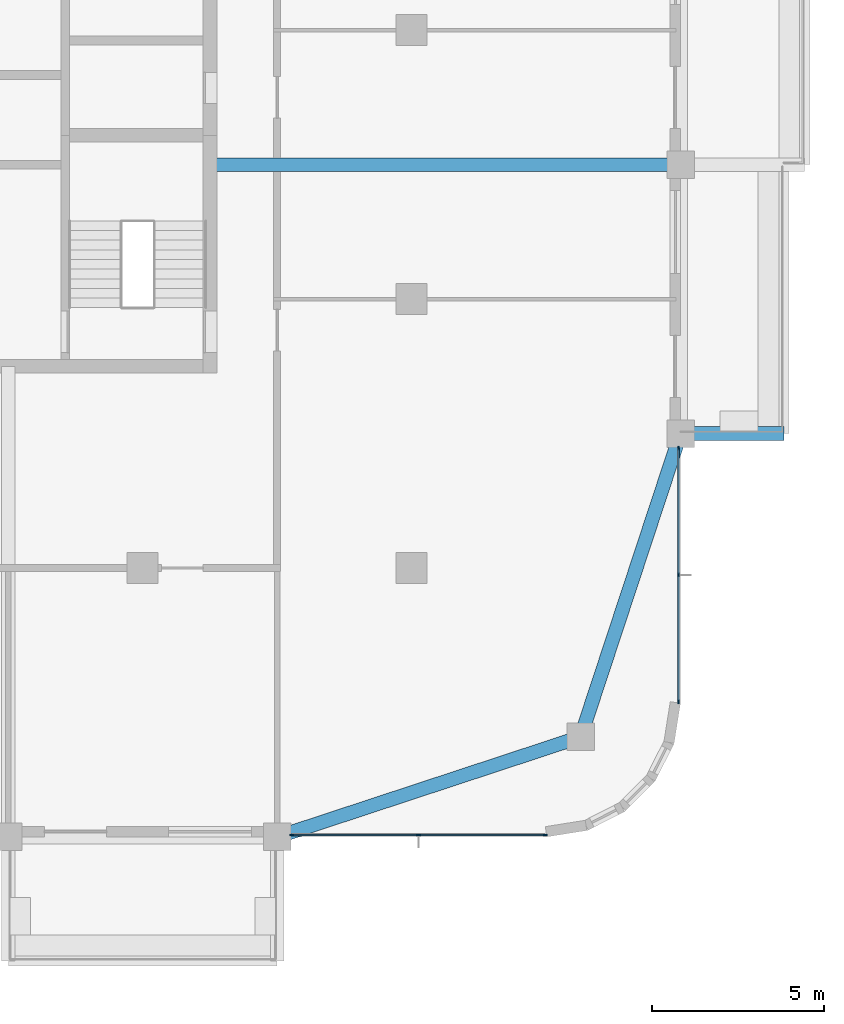
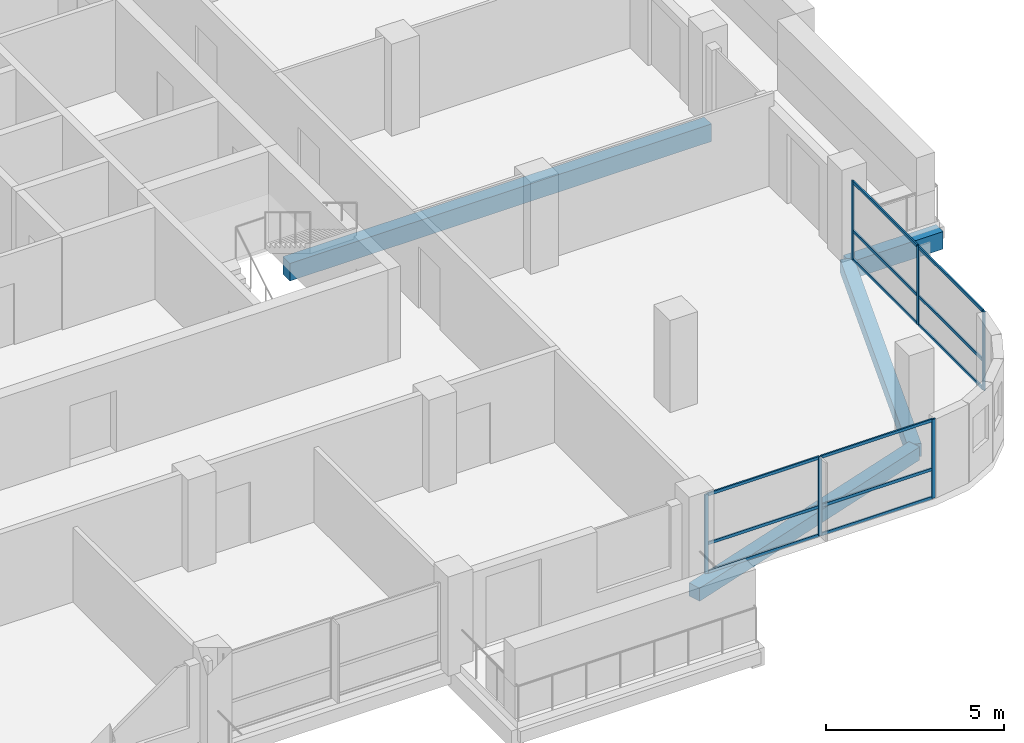
# One storey, part 5 of 22: 18 members, 4 beams, 2 elements without a shape of their own.
"""IFC4 building model written with IfcOpenShell, lengths in metres."""

from ifc_helpers import new_model, si_unit, direction, frame, origin, origin_2d, place, context, subcontext, project, spatial, rectangle, extrude, material, material_profile, profile_set, type_object, element, aggregate, save


model = new_model("IFC4")

# Units and contexts
model_context = context("Model", 3, precision=1e-05, world=origin(), true_north=direction((0.0, 1.0)))
body_context = subcontext(model_context, "Body", "Model", "MODEL_VIEW")
ifc_project = project(units=[si_unit("LENGTHUNIT", "METRE"), si_unit("AREAUNIT", "SQUARE_METRE"), si_unit("VOLUMEUNIT", "CUBIC_METRE"), si_unit("PLANEANGLEUNIT", "RADIAN"), si_unit("MASSUNIT", "GRAM", prefix="KILO")], contexts=[model_context])

# Site, building, storey
site_placement = place(None, origin())
site = spatial("IfcSite", under=ifc_project, at=site_placement, CompositionType="ELEMENT")
building_placement = place(site_placement, origin())
building = spatial("IfcBuilding", under=site, at=building_placement, Name="Ludao Terraces", CompositionType="ELEMENT")
storey_placement = place(building_placement, frame((0.0, 0.0, 200.699951171875)))
storey = spatial("IfcBuildingStorey", under=building, at=storey_placement, Name="L54", CompositionType="ELEMENT", Elevation=200.699951171875)

# Curtain wall, members
ifc_material_1 = material(Name="Aluminium curtain wall with fritted glass", Category="aluminium")
curtain_wall_type = type_object("IfcCurtainWallType", Name="ENV CW3 community glazing", PredefinedType="NOTDEFINED", material=ifc_material_1)
curtain_wall_1_placement = place(storey_placement, origin())
curtain_wall_1 = element("IfcCurtainWall", 1, at=curtain_wall_1_placement, inside=storey, type_object=curtain_wall_type, Name="Community floor glazing L54 S5", PredefinedType="NOTDEFINED")
ifc_material_2 = material(Name="Aluminium 6063-T6", Category="aluminium")
ifc_material_profile_1 = material_profile(ifc_material_2, rectangle(XDim=0.050048828125, YDim=0.1201171875, at=origin_2d()), Name="50 X 120")
ifc_profile_set_1 = profile_set([ifc_material_profile_1], Name="Aluminium 6063-T6")
member_type_1 = type_object("IfcMemberType", Name="ENV CW3 mullion 50x120", PredefinedType="MULLION", material=ifc_profile_set_1)
member_1_placement = place(storey_placement, frame((97.125, 41.659912109375, 0.0), z_axis=(0.0, 0.0, 1.0), x_axis=(0.0, 1.0, 0.0)))
member_1 = element("IfcMember", 2, at=member_1_placement, type_object=member_type_1, Name="CW3 mullion 1", PredefinedType="MULLION", context=body_context, shape_type="SweptSolid", body=[
    extrude(rectangle(XDim=0.050048828125, YDim=0.1201171875, at=origin_2d()), origin(), (0.0, 0.0, 1.0), 2.699951171875),
])
member_2_placement = place(storey_placement, frame((100.800048828125, 41.659912109375, 0.0), z_axis=(0.0, 0.0, 1.0), x_axis=(0.0, 1.0, 0.0)))
member_2 = element("IfcMember", 3, at=member_2_placement, type_object=member_type_1, Name="CW3 mullion 2", PredefinedType="MULLION", context=body_context, shape_type="SweptSolid", body=[
    extrude(rectangle(XDim=0.050048828125, YDim=0.1201171875, at=origin_2d()), origin(), (0.0, 0.0, 1.0), 2.699951171875),
])
member_3_placement = place(storey_placement, frame((104.47509765625, 41.659912109375, 0.0), z_axis=(0.0, 0.0, 1.0), x_axis=(0.0, 1.0, 0.0)))
member_3 = element("IfcMember", 4, at=member_3_placement, type_object=member_type_1, Name="CW3 mullion 3", PredefinedType="MULLION", context=body_context, shape_type="SweptSolid", body=[
    extrude(rectangle(XDim=0.050048828125, YDim=0.1201171875, at=origin_2d()), origin(), (0.0, 0.0, 1.0), 2.699951171875),
])

curtain_wall_2_placement = place(storey_placement, origin())
curtain_wall_2 = element("IfcCurtainWall", 5, at=curtain_wall_2_placement, inside=storey, type_object=curtain_wall_type, Name="Community floor glazing L54 E1", PredefinedType="NOTDEFINED")
member_4_placement = place(storey_placement, frame((108.340087890625, 45.52490234375, 0.0), z_axis=(0.0, 0.0, 1.0), x_axis=(-1.0, 0.0, 0.0)))
member_4 = element("IfcMember", 6, at=member_4_placement, type_object=member_type_1, Name="CW3 mullion 1", PredefinedType="MULLION", context=body_context, shape_type="SweptSolid", body=[
    extrude(rectangle(XDim=0.050048828125, YDim=0.1201171875, at=origin_2d()), origin(), (0.0, 0.0, 1.0), 2.699951171875),
])
member_5_placement = place(storey_placement, frame((108.340087890625, 49.199951171875, 0.0), z_axis=(0.0, 0.0, 1.0), x_axis=(-1.0, 0.0, 0.0)))
member_5 = element("IfcMember", 7, at=member_5_placement, type_object=member_type_1, Name="CW3 mullion 2", PredefinedType="MULLION", context=body_context, shape_type="SweptSolid", body=[
    extrude(rectangle(XDim=0.050048828125, YDim=0.1201171875, at=origin_2d()), origin(), (0.0, 0.0, 1.0), 2.699951171875),
])
member_6_placement = place(storey_placement, frame((108.340087890625, 52.875, 0.0), z_axis=(0.0, 0.0, 1.0), x_axis=(-1.0, 0.0, 0.0)))
member_6 = element("IfcMember", 8, at=member_6_placement, type_object=member_type_1, Name="CW3 mullion 3", PredefinedType="MULLION", context=body_context, shape_type="SweptSolid", body=[
    extrude(rectangle(XDim=0.050048828125, YDim=0.1201171875, at=origin_2d()), origin(), (0.0, 0.0, 1.0), 2.699951171875),
])

# Member
ifc_material_profile_2 = material_profile(ifc_material_2, rectangle(XDim=0.050048828125, YDim=0.10009765625, at=origin_2d()), Name="50 X 100")
ifc_profile_set_2 = profile_set([ifc_material_profile_2], Name="Aluminium 6063-T6")
member_type_2 = type_object("IfcMemberType", Name="ENV CW3 transom 50x100", PredefinedType="USERDEFINED", material=ifc_profile_set_2)
member_7_placement = place(storey_placement, frame((97.14990234375, 41.659912109375, 0.025146484375), z_axis=(1.0, 0.0, 0.0), x_axis=(0.0, 1.0, 0.0)))
member_7 = element("IfcMember", 9, at=member_7_placement, type_object=member_type_2, Name="CW3 transom 1.1", ObjectType="TRANSOM", PredefinedType="USERDEFINED", context=body_context, shape_type="SweptSolid", body=[
    extrude(rectangle(XDim=0.050048828125, YDim=0.10009765625, at=origin_2d()), origin(), (0.0, 0.0, 1.0), 3.625),
])

member_8_placement = place(storey_placement, frame((97.14990234375, 41.659912109375, 1.0), z_axis=(1.0, 0.0, 0.0), x_axis=(0.0, 1.0, 0.0)))
member_8 = element("IfcMember", 10, at=member_8_placement, type_object=member_type_2, Name="CW3 transom 1.2", ObjectType="TRANSOM", PredefinedType="USERDEFINED", context=body_context, shape_type="SweptSolid", body=[
    extrude(rectangle(XDim=0.050048828125, YDim=0.10009765625, at=origin_2d()), origin(), (0.0, 0.0, 1.0), 3.625),
])

member_9_placement = place(storey_placement, frame((97.14990234375, 41.659912109375, 2.675048828125), z_axis=(1.0, 0.0, 0.0), x_axis=(0.0, 1.0, 0.0)))
member_9 = element("IfcMember", 11, at=member_9_placement, type_object=member_type_2, Name="CW3 transom 1.3", ObjectType="TRANSOM", PredefinedType="USERDEFINED", context=body_context, shape_type="SweptSolid", body=[
    extrude(rectangle(XDim=0.050048828125, YDim=0.10009765625, at=origin_2d()), origin(), (0.0, 0.0, 1.0), 3.625),
])

member_10_placement = place(storey_placement, frame((100.824951171875, 41.659912109375, 0.025146484375), z_axis=(1.0, 0.0, 0.0), x_axis=(0.0, 1.0, 0.0)))
member_10 = element("IfcMember", 12, at=member_10_placement, type_object=member_type_2, Name="CW3 transom 2.1", ObjectType="TRANSOM", PredefinedType="USERDEFINED", context=body_context, shape_type="SweptSolid", body=[
    extrude(rectangle(XDim=0.050048828125, YDim=0.10009765625, at=origin_2d()), origin(), (0.0, 0.0, 1.0), 3.625),
])

member_11_placement = place(storey_placement, frame((100.824951171875, 41.659912109375, 1.0), z_axis=(1.0, 0.0, 0.0), x_axis=(0.0, 1.0, 0.0)))
member_11 = element("IfcMember", 13, at=member_11_placement, type_object=member_type_2, Name="CW3 transom 2.2", ObjectType="TRANSOM", PredefinedType="USERDEFINED", context=body_context, shape_type="SweptSolid", body=[
    extrude(rectangle(XDim=0.050048828125, YDim=0.10009765625, at=origin_2d()), origin(), (0.0, 0.0, 1.0), 3.625),
])

member_12_placement = place(storey_placement, frame((100.824951171875, 41.659912109375, 2.675048828125), z_axis=(1.0, 0.0, 0.0), x_axis=(0.0, 1.0, 0.0)))
member_12 = element("IfcMember", 14, at=member_12_placement, type_object=member_type_2, Name="CW3 transom 2.3", ObjectType="TRANSOM", PredefinedType="USERDEFINED", context=body_context, shape_type="SweptSolid", body=[
    extrude(rectangle(XDim=0.050048828125, YDim=0.10009765625, at=origin_2d()), origin(), (0.0, 0.0, 1.0), 3.625),
])

aggregate(curtain_wall_1, [member_1, member_2, member_3, member_7, member_8, member_9, member_10, member_11, member_12])

member_13_placement = place(storey_placement, frame((108.340087890625, 45.550048828125, 0.025146484375), z_axis=(0.0, 1.0, 0.0), x_axis=(-1.0, 0.0, 0.0)))
member_13 = element("IfcMember", 15, at=member_13_placement, type_object=member_type_2, Name="CW3 transom 1.1", ObjectType="TRANSOM", PredefinedType="USERDEFINED", context=body_context, shape_type="SweptSolid", body=[
    extrude(rectangle(XDim=0.050048828125, YDim=0.10009765625, at=origin_2d()), origin(), (0.0, 0.0, 1.0), 3.625),
])

member_14_placement = place(storey_placement, frame((108.340087890625, 45.550048828125, 1.0), z_axis=(0.0, 1.0, 0.0), x_axis=(-1.0, 0.0, 0.0)))
member_14 = element("IfcMember", 16, at=member_14_placement, type_object=member_type_2, Name="CW3 transom 1.2", ObjectType="TRANSOM", PredefinedType="USERDEFINED", context=body_context, shape_type="SweptSolid", body=[
    extrude(rectangle(XDim=0.050048828125, YDim=0.10009765625, at=origin_2d()), origin(), (0.0, 0.0, 1.0), 3.625),
])

member_15_placement = place(storey_placement, frame((108.340087890625, 45.550048828125, 2.675048828125), z_axis=(0.0, 1.0, 0.0), x_axis=(-1.0, 0.0, 0.0)))
member_15 = element("IfcMember", 17, at=member_15_placement, type_object=member_type_2, Name="CW3 transom 1.3", ObjectType="TRANSOM", PredefinedType="USERDEFINED", context=body_context, shape_type="SweptSolid", body=[
    extrude(rectangle(XDim=0.050048828125, YDim=0.10009765625, at=origin_2d()), origin(), (0.0, 0.0, 1.0), 3.625),
])

member_16_placement = place(storey_placement, frame((108.340087890625, 49.22509765625, 0.025146484375), z_axis=(0.0, 1.0, 0.0), x_axis=(-1.0, 0.0, 0.0)))
member_16 = element("IfcMember", 18, at=member_16_placement, type_object=member_type_2, Name="CW3 transom 2.1", ObjectType="TRANSOM", PredefinedType="USERDEFINED", context=body_context, shape_type="SweptSolid", body=[
    extrude(rectangle(XDim=0.050048828125, YDim=0.10009765625, at=origin_2d()), origin(), (0.0, 0.0, 1.0), 3.625),
])

member_17_placement = place(storey_placement, frame((108.340087890625, 49.22509765625, 1.0), z_axis=(0.0, 1.0, 0.0), x_axis=(-1.0, 0.0, 0.0)))
member_17 = element("IfcMember", 19, at=member_17_placement, type_object=member_type_2, Name="CW3 transom 2.2", ObjectType="TRANSOM", PredefinedType="USERDEFINED", context=body_context, shape_type="SweptSolid", body=[
    extrude(rectangle(XDim=0.050048828125, YDim=0.10009765625, at=origin_2d()), origin(), (0.0, 0.0, 1.0), 3.625),
])

member_18_placement = place(storey_placement, frame((108.340087890625, 49.22509765625, 2.675048828125), z_axis=(0.0, 1.0, 0.0), x_axis=(-1.0, 0.0, 0.0)))
member_18 = element("IfcMember", 20, at=member_18_placement, type_object=member_type_2, Name="CW3 transom 2.3", ObjectType="TRANSOM", PredefinedType="USERDEFINED", context=body_context, shape_type="SweptSolid", body=[
    extrude(rectangle(XDim=0.050048828125, YDim=0.10009765625, at=origin_2d()), origin(), (0.0, 0.0, 1.0), 3.625),
])

aggregate(curtain_wall_2, [member_4, member_5, member_6, member_13, member_14, member_15, member_16, member_17, member_18])

# Beams
ifc_material_3 = material(Name="Concrete C40", Category="concrete")
ifc_material_profile_3 = material_profile(ifc_material_3, rectangle(XDim=0.39990234375, YDim=0.449951171875, at=origin_2d()), Name="400 X 450")
ifc_profile_set_3 = profile_set([ifc_material_profile_3], Name="Concrete C40")
beam_type_1 = type_object("IfcBeamType", Name="RC beam 400x450 C40", PredefinedType="BEAM", material=ifc_profile_set_3)
for number, where, z_axis, x_axis, name in (
    (21, (96.699951171875, 41.60009765625, -0.474853515625), (0.949760691408, 0.312977042379, 0.0), (-0.312977042379, 0.949760691408, 0.0), "Spandrel beam L54 S5"),
    (22, (105.5, 44.5, -0.474853515625), (0.312977042379, 0.949760691408, 0.0), (-0.949760691408, 0.312977042379, 0.0), "Spandrel beam L54 E13"),
):
    element("IfcBeam", number, at=place(storey_placement, frame(where, z_axis=z_axis, x_axis=x_axis)), inside=storey, type_object=beam_type_1, Name=name, PredefinedType="BEAM", context=body_context, shape_type="SweptSolid", body=[
        extrude(rectangle(XDim=0.39990234375, YDim=0.449951171875, at=origin_2d()), origin(), (0.0, 0.0, 1.0), 9.265625),
    ])
ifc_material_profile_4 = material_profile(ifc_material_3, rectangle(XDim=0.39990234375, YDim=0.60009765625, at=origin_2d()), Name="400 X 600")
ifc_profile_set_4 = profile_set([ifc_material_profile_4], Name="Concrete C40")
beam_type_2 = type_object("IfcBeamType", Name="RC beam 400x600 C40", PredefinedType="BEAM", material=ifc_profile_set_4)
beam_1_placement = place(storey_placement, frame((108.39990234375, 53.300048828125, -0.550048828125), z_axis=(1.0, 0.0, 0.0), x_axis=(0.0, 1.0, 0.0)))
element("IfcBeam", 23, at=beam_1_placement, inside=storey, type_object=beam_type_2, Name="Balcony beam L54 E533", PredefinedType="BEAM", context=body_context, shape_type="SweptSolid", body=[
    extrude(rectangle(XDim=0.39990234375, YDim=0.60009765625, at=origin_2d()), origin(), (0.0, 0.0, 1.0), 3.0),
])
beam_2_placement = place(storey_placement, frame((94.75, 61.10009765625, -0.550048828125), z_axis=(1.0, 0.0, 0.0), x_axis=(0.0, 1.0, 0.0)))
element("IfcBeam", 24, at=beam_2_placement, inside=storey, type_object=beam_type_2, Name="Balcony beam L54 E611", PredefinedType="BEAM", context=body_context, shape_type="SweptSolid", body=[
    extrude(rectangle(XDim=0.39990234375, YDim=0.60009765625, at=origin_2d()), origin(), (0.0, 0.0, 1.0), 13.64990234375),
])

save(model, "model.ifc")
